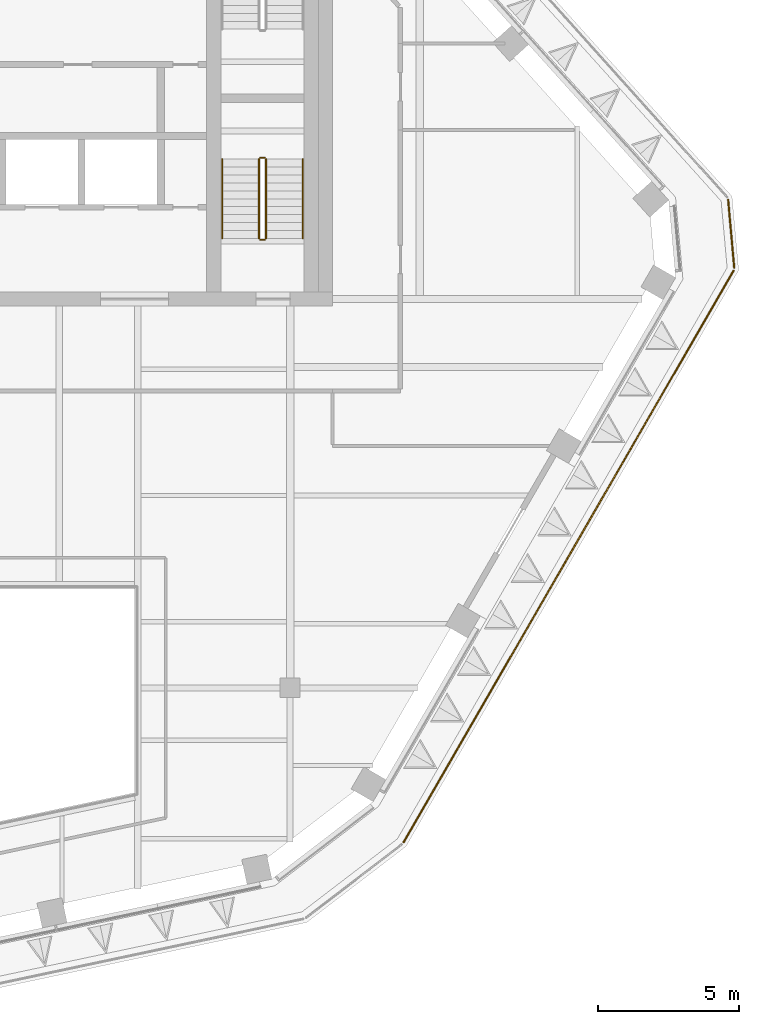
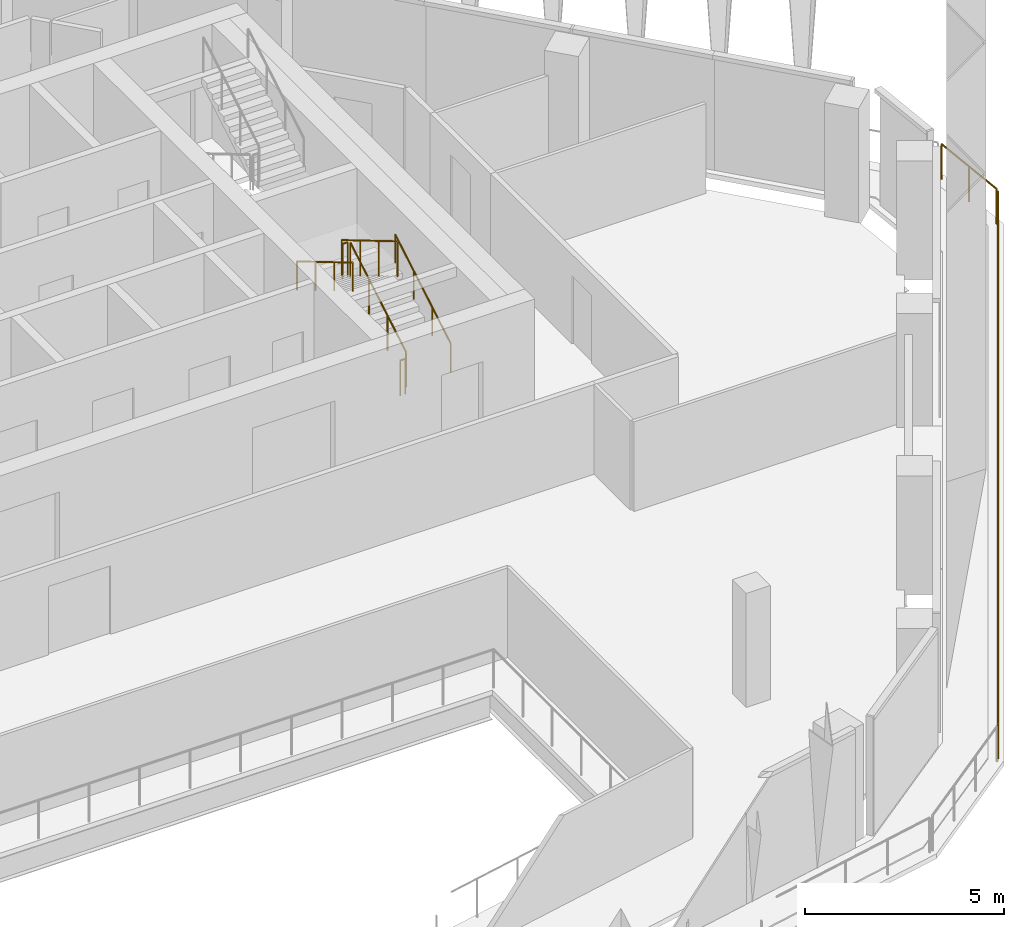
# One storey, part 14 of 21: 8 railings.
"""IFC4 building model written with IfcOpenShell, lengths in metres."""

from ifc_helpers import new_model, si_unit, direction, frame, origin, origin_2d, place, context, subcontext, project, spatial, circle, extrude, material, type_object, element, save


model = new_model("IFC4")

# Units and contexts
model_context = context("Model", 3, precision=1e-05, world=origin(), true_north=direction((0.0, 1.0)))
body_context = subcontext(model_context, "Body", "Model", "MODEL_VIEW")
ifc_project = project(units=[si_unit("LENGTHUNIT", "METRE"), si_unit("AREAUNIT", "SQUARE_METRE"), si_unit("VOLUMEUNIT", "CUBIC_METRE"), si_unit("PLANEANGLEUNIT", "RADIAN"), si_unit("MASSUNIT", "GRAM", prefix="KILO")], contexts=[model_context])

# Site, building, storey
site_placement = place(None, origin())
site = spatial("IfcSite", under=ifc_project, at=site_placement, CompositionType="ELEMENT")
building_placement = place(site_placement, origin())
building = spatial("IfcBuilding", under=site, at=building_placement, Name="Isthmus Gate Tower", CompositionType="ELEMENT")
storey_placement = place(building_placement, frame((0.0, 0.0, 260.949951171875)))
storey = spatial("IfcBuildingStorey", under=building, at=storey_placement, Name="L66", CompositionType="ELEMENT", Elevation=260.949951171875)

# Railings
ifc_material_1 = material(Name="Stainless steel posts and toughened laminated glass", Category="steel")
railing_type_1 = type_object("IfcRailingType", Name="GUARD 1100 LEDGE GLASS", PredefinedType="GUARDRAIL", material=ifc_material_1)
railing_1_placement = place(storey_placement, frame((28.997314453125, 3.763916015625, 0.0)))
element("IfcRailing", 1, at=railing_1_placement, inside=storey, type_object=railing_type_1, Name="LEDGE GUARD", PredefinedType="GUARDRAIL", context=body_context, shape_type="SweptSolid", body=[
    extrude(circle(Radius=0.02490234375, at=origin_2d()), frame((0.0, 0.0, 1.0751953125), z_axis=(0.089355985978, -0.995999752897, 0.0), x_axis=(0.995999752897, 0.089355985978, 0.0)), (0.0, 0.0, 1.0), 2.406982421875),
    extrude(circle(Radius=0.02490234375, at=origin_2d()), origin(), (0.0, 0.0, 1.0), 1.050048828125),
    extrude(circle(Radius=0.02490234375, at=origin_2d()), frame((0.107421875, -1.19873046875, 0.0)), (0.0, 0.0, 1.0), 1.050048828125),
    extrude(circle(Radius=0.02490234375, at=origin_2d()), frame((0.215087890625, -2.3974609375, 0.0)), (0.0, 0.0, 1.0), 1.050048828125),
])
railing_2_placement = place(storey_placement, frame((29.187744140625, 1.254638671875, 0.0)))
element("IfcRailing", 2, at=railing_2_placement, inside=storey, type_object=railing_type_1, Name="LEDGE GUARD", PredefinedType="GUARDRAIL", context=body_context, shape_type="SweptSolid", body=[
    extrude(circle(Radius=0.02490234375, at=origin_2d()), frame((0.0, 0.0, 1.0751953125), z_axis=(-0.500004333442, -0.866022901856, 0.0), x_axis=(0.866022901856, -0.500004333442, 0.0)), (0.0, 0.0, 1.0), 23.341552734375),
    extrude(circle(Radius=0.02490234375, at=origin_2d()), origin(), (0.0, 0.0, 1.0), 1.050048828125),
    extrude(circle(Radius=0.02490234375, at=origin_2d()), frame((-0.7294921875, -1.263427734375, 0.0)), (0.0, 0.0, 1.0), 1.050048828125),
    extrude(circle(Radius=0.02490234375, at=origin_2d()), frame((-1.458984375, -2.52685546875, 0.0)), (0.0, 0.0, 1.0), 1.050048828125),
    extrude(circle(Radius=0.02490234375, at=origin_2d()), frame((-2.188232421875, -3.790283203125, 0.0)), (0.0, 0.0, 1.0), 1.050048828125),
    extrude(circle(Radius=0.02490234375, at=origin_2d()), frame((-2.917724609375, -5.0537109375, 0.0)), (0.0, 0.0, 1.0), 1.050048828125),
    extrude(circle(Radius=0.02490234375, at=origin_2d()), frame((-3.647216796875, -6.31689453125, 0.0)), (0.0, 0.0, 1.0), 1.050048828125),
    extrude(circle(Radius=0.02490234375, at=origin_2d()), frame((-4.37646484375, -7.580322265625, 0.0)), (0.0, 0.0, 1.0), 1.050048828125),
    extrude(circle(Radius=0.02490234375, at=origin_2d()), frame((-5.10595703125, -8.84375, 0.0)), (0.0, 0.0, 1.0), 1.050048828125),
    extrude(circle(Radius=0.02490234375, at=origin_2d()), frame((-5.83544921875, -10.107177734375, 0.0)), (0.0, 0.0, 1.0), 1.050048828125),
    extrude(circle(Radius=0.02490234375, at=origin_2d()), frame((-6.56494140625, -11.37060546875, 0.0)), (0.0, 0.0, 1.0), 1.050048828125),
    extrude(circle(Radius=0.02490234375, at=origin_2d()), frame((-7.29443359375, -12.634033203125, 0.0)), (0.0, 0.0, 1.0), 1.050048828125),
    extrude(circle(Radius=0.02490234375, at=origin_2d()), frame((-8.023681640625, -13.8974609375, 0.0)), (0.0, 0.0, 1.0), 1.050048828125),
    extrude(circle(Radius=0.02490234375, at=origin_2d()), frame((-8.753173828125, -15.16064453125, 0.0)), (0.0, 0.0, 1.0), 1.050048828125),
    extrude(circle(Radius=0.02490234375, at=origin_2d()), frame((-9.482666015625, -16.424072265625, 0.0)), (0.0, 0.0, 1.0), 1.050048828125),
    extrude(circle(Radius=0.02490234375, at=origin_2d()), frame((-10.2119140625, -17.6875, 0.0)), (0.0, 0.0, 1.0), 1.050048828125),
    extrude(circle(Radius=0.02490234375, at=origin_2d()), frame((-10.94140625, -18.950927734375, 0.0)), (0.0, 0.0, 1.0), 1.050048828125),
    extrude(circle(Radius=0.02490234375, at=origin_2d()), frame((-11.6708984375, -20.21435546875, 0.0)), (0.0, 0.0, 1.0), 1.050048828125),
])
ifc_material_2 = material(Name="Stainless steel balustrade", Category="steel")
railing_type_2 = type_object("IfcRailingType", Name="STAIR GUARD 1100", PredefinedType="GUARDRAIL", material=ifc_material_2)
railing_3_placement = place(storey_placement, frame((12.64990234375, 2.39990234375, 0.166015625)))
element("IfcRailing", 3, at=railing_3_placement, inside=storey, type_object=railing_type_2, Name="L66 ST8 stair guard 1", PredefinedType="GUARDRAIL", context=body_context, shape_type="SweptSolid", body=[
    extrude(circle(Radius=0.02392578125, at=origin_2d()), frame((0.0, 0.0, 1.076171875), z_axis=(0.0, 0.860339051648, 0.50972219513), x_axis=(-1.0, 0.0, 0.0)), (0.0, 0.0, 1.0), 3.254638671875),
    extrude(circle(Radius=0.02099609375, at=origin_2d()), origin(), (0.0, 0.0, 1.0), 1.052001953125),
    extrude(circle(Radius=0.02099609375, at=origin_2d()), frame((0.0, 0.933349609375, 0.552978515625)), (0.0, 0.0, 1.0), 1.052001953125),
    extrude(circle(Radius=0.02099609375, at=origin_2d()), frame((0.0, 1.86669921875, 1.10595703125)), (0.0, 0.0, 1.0), 1.052001953125),
    extrude(circle(Radius=0.02099609375, at=origin_2d()), frame((0.0, 2.800048828125, 1.658935546875)), (0.0, 0.0, 1.0), 1.052001953125),
])
railing_4_placement = place(storey_placement, frame((12.60009765625, 5.25, 1.824951171875)))
element("IfcRailing", 4, at=railing_4_placement, inside=storey, type_object=railing_type_2, Name="L66 ST8 stair guard 2", PredefinedType="GUARDRAIL", context=body_context, shape_type="SweptSolid", body=[
    extrude(circle(Radius=0.02392578125, at=origin_2d()), frame((0.0, 0.0, 1.076171875), z_axis=(-1.0, 0.0, 0.0), x_axis=(0.0, -1.0, 0.0)), (0.0, 0.0, 1.0), 0.150146484375),
    extrude(circle(Radius=0.02099609375, at=origin_2d()), origin(), (0.0, 0.0, 1.0), 1.052001953125),
    extrude(circle(Radius=0.02099609375, at=origin_2d()), frame((-0.150146484375, 0.0, 0.0)), (0.0, 0.0, 1.0), 1.052001953125),
])
railing_5_placement = place(storey_placement, frame((12.39990234375, 5.199951171875, 1.990966796875)))
element("IfcRailing", 5, at=railing_5_placement, inside=storey, type_object=railing_type_2, Name="L66 ST8 stair guard 3", PredefinedType="GUARDRAIL", context=body_context, shape_type="SweptSolid", body=[
    extrude(circle(Radius=0.02392578125, at=origin_2d()), frame((0.0, 0.0, 1.076171875), z_axis=(0.0, -0.860306154799, 0.50977771628), x_axis=(1.0, 0.0, 0.0)), (0.0, 0.0, 1.0), 3.254638671875),
    extrude(circle(Radius=0.02099609375, at=origin_2d()), origin(), (0.0, 0.0, 1.0), 1.052001953125),
    extrude(circle(Radius=0.02099609375, at=origin_2d()), frame((0.0, -0.933349609375, 0.552978515625)), (0.0, 0.0, 1.0), 1.052001953125),
    extrude(circle(Radius=0.02099609375, at=origin_2d()), frame((0.0, -1.86669921875, 1.106201171875)), (0.0, 0.0, 1.0), 1.052001953125),
    extrude(circle(Radius=0.02099609375, at=origin_2d()), frame((0.0, -2.800048828125, 1.6591796875)), (0.0, 0.0, 1.0), 1.052001953125),
])
railing_6_placement = place(storey_placement, frame((12.60009765625, 2.35009765625, 0.0)))
element("IfcRailing", 6, at=railing_6_placement, inside=storey, type_object=railing_type_2, Name="L66 ST8 stair guard 4", PredefinedType="GUARDRAIL", context=body_context, shape_type="SweptSolid", body=[
    extrude(circle(Radius=0.02392578125, at=origin_2d()), frame((0.0, 0.0, 1.076171875), z_axis=(-1.0, 0.0, 0.0), x_axis=(0.0, -1.0, 0.0)), (0.0, 0.0, 1.0), 0.150146484375),
    extrude(circle(Radius=0.02099609375, at=origin_2d()), origin(), (0.0, 0.0, 1.0), 1.052001953125),
    extrude(circle(Radius=0.02099609375, at=origin_2d()), frame((-0.150146484375, 0.0, 0.0)), (0.0, 0.0, 1.0), 1.052001953125),
])
ifc_material_3 = material(Name="Stainless steel handrail", Category="steel")
railing_type_3 = type_object("IfcRailingType", Name="STAIR HANDRAIL 900", PredefinedType="HANDRAIL", material=ifc_material_3)
railing_7_placement = place(storey_placement, frame((13.949951171875, 2.39990234375, 0.166015625)))
element("IfcRailing", 7, at=railing_7_placement, inside=storey, type_object=railing_type_3, Name="L66 ST8 stair handrail 1", PredefinedType="HANDRAIL", context=body_context, shape_type="SweptSolid", body=[
    extrude(circle(Radius=0.02392578125, at=origin_2d()), frame((0.0, 0.0, 0.8759765625), z_axis=(0.0, 0.860339051648, 0.50972219513), x_axis=(-1.0, 0.0, 0.0)), (0.0, 0.0, 1.0), 3.254638671875),
    extrude(circle(Radius=0.02099609375, at=origin_2d()), origin(), (0.0, 0.0, 1.0), 0.851806640625),
    extrude(circle(Radius=0.02099609375, at=origin_2d()), frame((0.0, 0.933349609375, 0.552978515625)), (0.0, 0.0, 1.0), 0.851806640625),
    extrude(circle(Radius=0.02099609375, at=origin_2d()), frame((0.0, 1.86669921875, 1.10595703125)), (0.0, 0.0, 1.0), 0.851806640625),
    extrude(circle(Radius=0.02099609375, at=origin_2d()), frame((0.0, 2.800048828125, 1.658935546875)), (0.0, 0.0, 1.0), 0.851806640625),
])
railing_8_placement = place(storey_placement, frame((11.10009765625, 5.199951171875, 1.990966796875)))
element("IfcRailing", 8, at=railing_8_placement, inside=storey, type_object=railing_type_3, Name="L66 ST8 stair handrail 2", PredefinedType="HANDRAIL", context=body_context, shape_type="SweptSolid", body=[
    extrude(circle(Radius=0.02392578125, at=origin_2d()), frame((0.0, 0.0, 0.8759765625), z_axis=(0.0, -0.860306154799, 0.50977771628), x_axis=(1.0, 0.0, 0.0)), (0.0, 0.0, 1.0), 3.254638671875),
    extrude(circle(Radius=0.02099609375, at=origin_2d()), origin(), (0.0, 0.0, 1.0), 0.851806640625),
    extrude(circle(Radius=0.02099609375, at=origin_2d()), frame((0.0, -0.933349609375, 0.552978515625)), (0.0, 0.0, 1.0), 0.851806640625),
    extrude(circle(Radius=0.02099609375, at=origin_2d()), frame((0.0, -1.86669921875, 1.106201171875)), (0.0, 0.0, 1.0), 0.851806640625),
    extrude(circle(Radius=0.02099609375, at=origin_2d()), frame((0.0, -2.800048828125, 1.6591796875)), (0.0, 0.0, 1.0), 0.851806640625),
])

save(model, "model.ifc")
